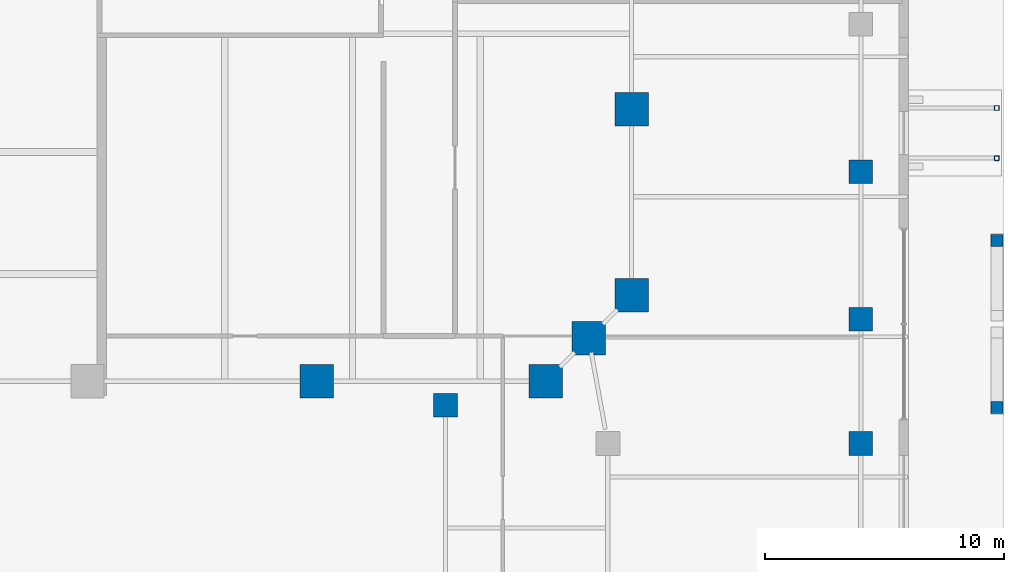
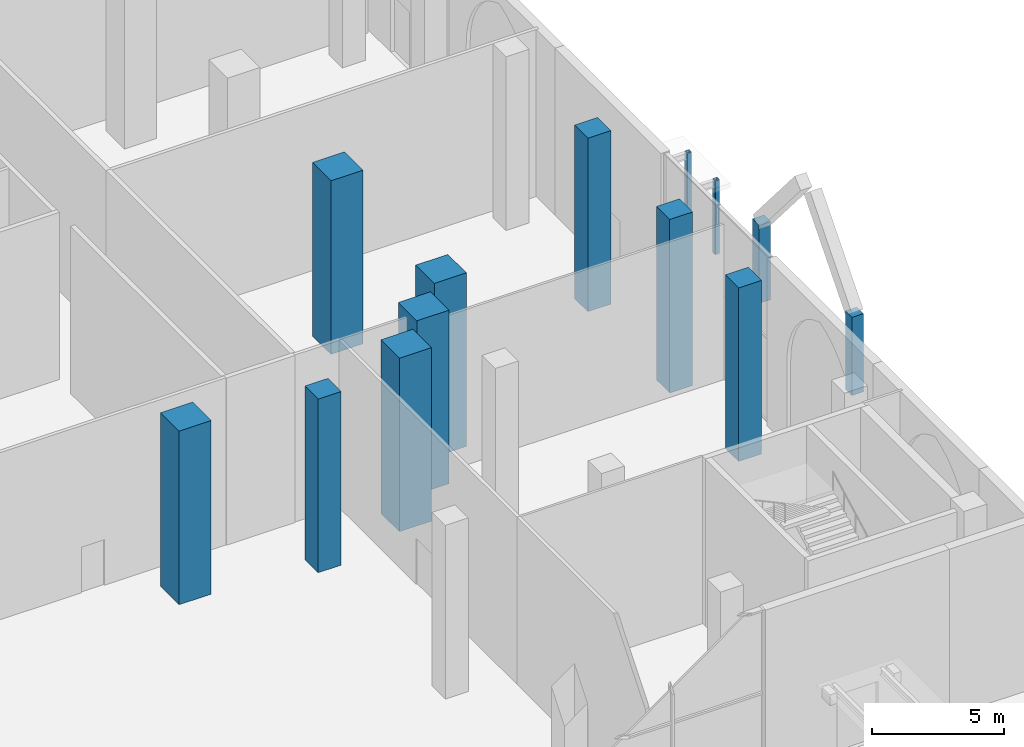
# One storey, part 7 of 38: 13 columns.
"""IFC4 building model written with IfcOpenShell, lengths in metres."""

from ifc_helpers import new_model, si_unit, direction, frame, origin, origin_2d, place, context, subcontext, project, spatial, rectangle, hollow_rectangle, extrude, material, material_profile, profile_set, type_object, element, save


model = new_model("IFC4")

# Units and contexts
model_context = context("Model", 3, precision=1e-05, world=origin(), true_north=direction((0.0, 1.0)))
body_context = subcontext(model_context, "Body", "Model", "MODEL_VIEW")
ifc_project = project(units=[si_unit("LENGTHUNIT", "METRE"), si_unit("AREAUNIT", "SQUARE_METRE"), si_unit("VOLUMEUNIT", "CUBIC_METRE"), si_unit("PLANEANGLEUNIT", "RADIAN"), si_unit("MASSUNIT", "GRAM", prefix="KILO")], contexts=[model_context])

# Site, building, storey
site_placement = place(None, origin())
site = spatial("IfcSite", under=ifc_project, at=site_placement, CompositionType="ELEMENT")
building_placement = place(site_placement, origin())
building = spatial("IfcBuilding", under=site, at=building_placement, Name="Ogive Exchange Tower", CompositionType="ELEMENT")
storey_placement = place(building_placement, origin())
storey = spatial("IfcBuildingStorey", under=building, at=storey_placement, Name="L00", CompositionType="ELEMENT", Elevation=0.0)

# Columns
ifc_material_1 = material(Name="Concrete C70/85", Category="concrete")
ifc_material_profile_1 = material_profile(ifc_material_1, rectangle(XDim=0.5, YDim=0.5, at=origin_2d()), Name="RC 500x500")
ifc_profile_set_1 = profile_set([ifc_material_profile_1], Name="Concrete C70/85")
column_type_1 = type_object("IfcColumnType", Name="Arcade pier 500x500", PredefinedType="COLUMN", material=ifc_profile_set_1)
for number, where, z_axis, x_axis, name in (
    (1, (47.699951171875, -31.5, -0.10009765625), (0.0, 0.0, 1.0), (1.0, 0.0, 0.0), "Arcade pier"),
    (2, (47.699951171875, -24.5, -0.10009765625), (0.0, 0.0, 1.0), (1.0, 0.0, 0.0), "Arcade pier"),
):
    element("IfcColumn", number, at=place(storey_placement, frame(where, z_axis=z_axis, x_axis=x_axis)), inside=storey, type_object=column_type_1, Name=name, PredefinedType="COLUMN", context=body_context, shape_type="SweptSolid", body=[
        extrude(rectangle(XDim=0.5, YDim=0.5, at=origin_2d()), origin(), (0.0, 0.0, 1.0), 3.60009765625),
    ])
ifc_material_2 = material(Name="Steel ASTM A1085 Gr A", Category="steel")
ifc_material_profile_2 = material_profile(ifc_material_2, hollow_rectangle(XDim=0.202880859375, YDim=0.202880859375, WallThickness=0.0126953125, InnerFilletRadius=0.0126953125, OuterFilletRadius=0.025390625, at=origin_2d()), Name="HSS203.2x203.2x12.7")
ifc_profile_set_2 = profile_set([ifc_material_profile_2], Name="Steel ASTM A1085 Gr A")
column_type_2 = type_object("IfcColumnType", Name="Canopy post HSS203.2x203.2x12.7", PredefinedType="COLUMN", material=ifc_profile_set_2)
for number, where, z_axis, x_axis, name in (
    (3, (47.699951171875, -21.050048828125, -0.10009765625), (0.0, 0.0, 1.0), (0.0, 1.0, 0.0), "Canopy post"),
    (4, (47.699951171875, -18.949951171875, -0.10009765625), (0.0, 0.0, 1.0), (0.0, 1.0, 0.0), "Canopy post"),
):
    element("IfcColumn", number, at=place(storey_placement, frame(where, z_axis=z_axis, x_axis=x_axis)), inside=storey, type_object=column_type_2, Name=name, PredefinedType="COLUMN", context=body_context, shape_type="SweptSolid", body=[
        extrude(hollow_rectangle(XDim=0.202880859375, YDim=0.202880859375, WallThickness=0.0126953125, InnerFilletRadius=0.0126953125, OuterFilletRadius=0.025390625, at=origin_2d()), origin(), (0.0, 0.0, 1.0), 3.400146484375),
    ])
ifc_material_profile_3 = material_profile(ifc_material_1, rectangle(XDim=1.0, YDim=1.0, at=origin_2d()), Name="RC 1000x1000")
ifc_profile_set_3 = profile_set([ifc_material_profile_3], Name="Concrete C70/85")
column_type_3 = type_object("IfcColumnType", Name="RC column 1000x1000", PredefinedType="COLUMN", material=ifc_profile_set_3)
for number, where, z_axis, x_axis, name in (
    (5, (42.0, -33.0, 0.0), (0.0, 0.0, 1.0), (1.0, 0.0, 0.0), "Podium column"),
    (6, (24.60009765625, -31.39990234375, 0.0), (0.0, 0.0, 1.0), (1.0, 0.0, 0.0), "Podium column"),
    (7, (42.0, -27.800048828125, 0.0), (0.0, 0.0, 1.0), (1.0, 0.0, 0.0), "Podium column"),
    (8, (42.0, -21.6201171875, 0.0), (0.0, 0.0, 1.0), (1.0, 0.0, 0.0), "Podium column"),
):
    element("IfcColumn", number, at=place(storey_placement, frame(where, z_axis=z_axis, x_axis=x_axis)), inside=storey, type_object=column_type_3, Name=name, PredefinedType="COLUMN", context=body_context, shape_type="SweptSolid", body=[
        extrude(rectangle(XDim=1.0, YDim=1.0, at=origin_2d()), origin(), (0.0, 0.0, 1.0), 8.0),
    ])
ifc_material_profile_4 = material_profile(ifc_material_1, rectangle(XDim=1.39990234375, YDim=1.39990234375, at=origin_2d()), Name="RC 1400x1400")
ifc_profile_set_4 = profile_set([ifc_material_profile_4], Name="Concrete C70/85")
column_type_4 = type_object("IfcColumnType", Name="RC column 1400x1400", PredefinedType="COLUMN", material=ifc_profile_set_4)
for number, where, z_axis, x_axis, name in (
    (9, (19.199951171875, -30.39990234375, 0.0), (0.0, 0.0, 1.0), (1.0, 0.0, 0.0), "Leg column"),
    (10, (28.800048828125, -30.39990234375, 0.0), (0.0, 0.0, 1.0), (1.0, 0.0, 0.0), "Leg column"),
    (11, (30.60009765625, -28.60009765625, 0.0), (0.0, 0.0, 1.0), (1.0, 0.0, 0.0), "Leg column"),
    (12, (32.39990234375, -26.800048828125, 0.0), (0.0, 0.0, 1.0), (1.0, 0.0, 0.0), "Leg column"),
    (13, (32.39990234375, -19.0, 0.0), (0.0, 0.0, 1.0), (1.0, 0.0, 0.0), "Leg column"),
):
    element("IfcColumn", number, at=place(storey_placement, frame(where, z_axis=z_axis, x_axis=x_axis)), inside=storey, type_object=column_type_4, Name=name, PredefinedType="COLUMN", context=body_context, shape_type="SweptSolid", body=[
        extrude(rectangle(XDim=1.39990234375, YDim=1.39990234375, at=origin_2d()), origin(), (0.0, 0.0, 1.0), 8.0),
    ])

save(model, "model.ifc")
